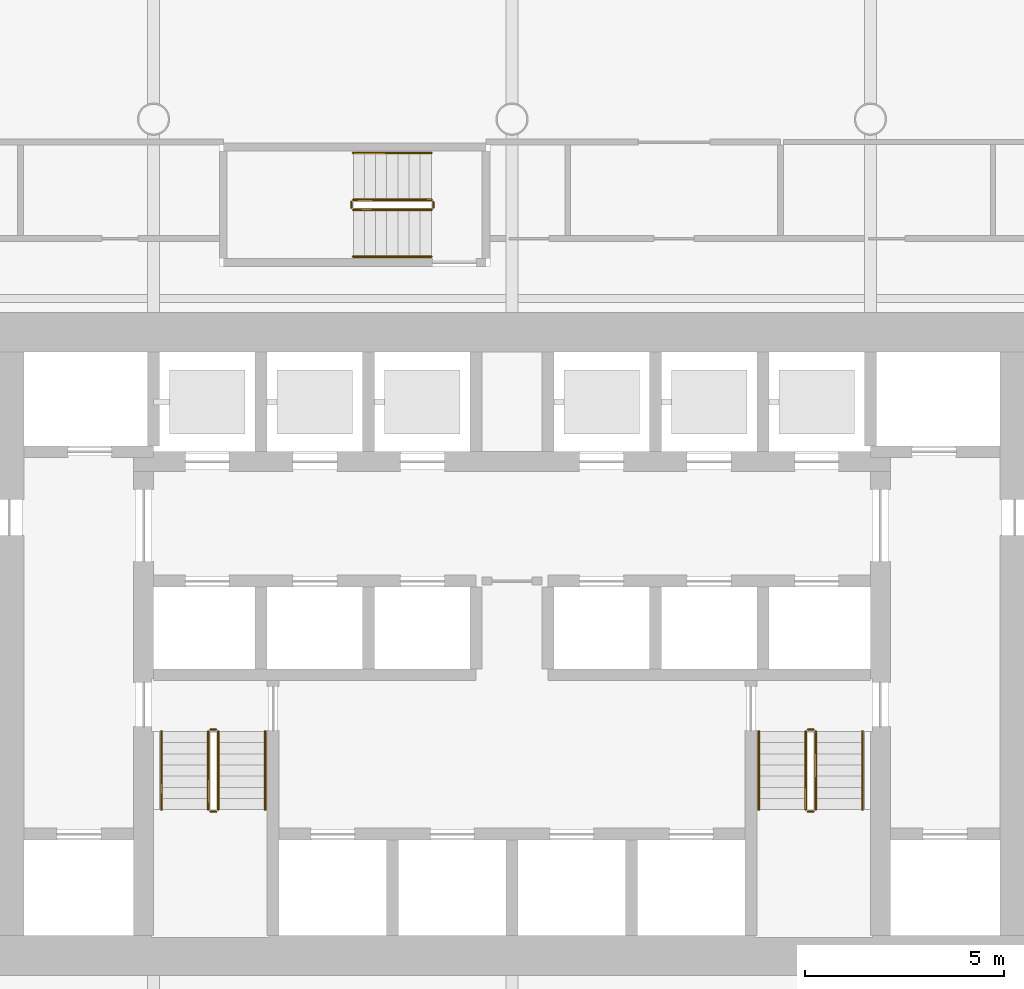
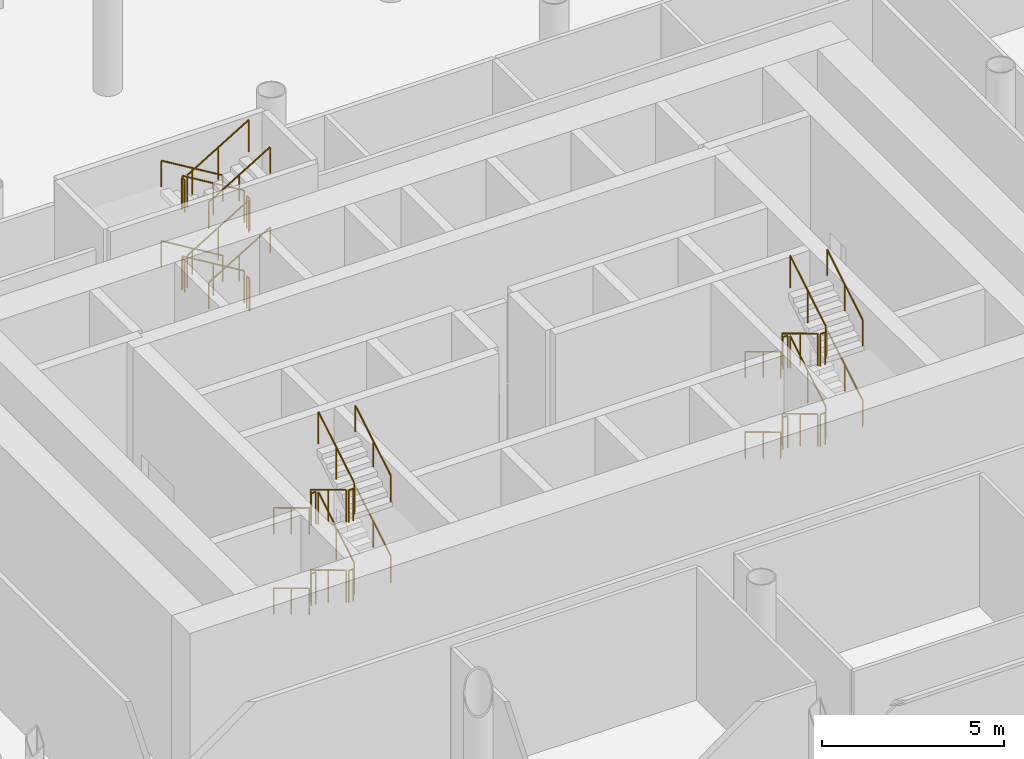
# One storey, part 12 of 13: 36 railings.
"""IFC4 building model written with IfcOpenShell, lengths in metres."""

from ifc_helpers import new_model, si_unit, direction, frame, origin, origin_2d, place, context, subcontext, project, spatial, circle, extrude, material, type_object, element, save


model = new_model("IFC4")

# Units and contexts
model_context = context("Model", 3, precision=1e-05, world=origin(), true_north=direction((0.0, 1.0)))
body_context = subcontext(model_context, "Body", "Model", "MODEL_VIEW")
ifc_project = project(units=[si_unit("LENGTHUNIT", "METRE"), si_unit("AREAUNIT", "SQUARE_METRE"), si_unit("VOLUMEUNIT", "CUBIC_METRE"), si_unit("PLANEANGLEUNIT", "RADIAN"), si_unit("MASSUNIT", "GRAM", prefix="KILO")], contexts=[model_context])

# Site, building, storey
site_placement = place(None, origin())
site = spatial("IfcSite", under=ifc_project, at=site_placement, CompositionType="ELEMENT")
building_placement = place(site_placement, origin())
building = spatial("IfcBuilding", under=site, at=building_placement, Name="Tskaro Facet Tower", CompositionType="ELEMENT")
storey_placement = place(building_placement, frame((0.0, 0.0, 108.89990234375)))
storey = spatial("IfcBuildingStorey", under=building, at=storey_placement, Name="L26", CompositionType="ELEMENT", Elevation=108.89990234375)

# Railings
ifc_material = material(Name="Stainless steel", Category="steel")
railing_type_1 = type_object("IfcRailingType", Name="RL-GUARD-1100", PredefinedType="GUARDRAIL", material=ifc_material)
railing_1_placement = place(storey_placement, frame((-7.625, -6.375, 0.1689453125)))
element("IfcRailing", 1, at=railing_1_placement, inside=storey, type_object=railing_type_1, Name="L26 ST-1 stair guard 1", PredefinedType="GUARDRAIL", context=body_context, shape_type="SweptSolid", body=[
    extrude(circle(Radius=0.02392578125, at=origin_2d()), frame((0.0, 0.0, 1.076171875), z_axis=(0.0, -0.856493463811, 0.516157869696), x_axis=(1.0, 0.0, 0.0)), (0.0, 0.0, 1.0), 2.288330078125),
    extrude(circle(Radius=0.02099609375, at=origin_2d()), origin(), (0.0, 0.0, 1.0), 1.052001953125),
    extrude(circle(Radius=0.02099609375, at=origin_2d()), frame((0.0, -0.97998046875, 0.590576171875)), (0.0, 0.0, 1.0), 1.052001953125),
    extrude(circle(Radius=0.02099609375, at=origin_2d()), frame((0.0, -1.9599609375, 1.18115234375)), (0.0, 0.0, 1.0), 1.052001953125),
])
railing_2_placement = place(storey_placement, frame((-7.574951171875, -8.385009765625, 1.35009765625)))
element("IfcRailing", 2, at=railing_2_placement, inside=storey, type_object=railing_type_1, Name="L26 ST-1 stair guard 2", PredefinedType="GUARDRAIL", context=body_context, shape_type="SweptSolid", body=[
    extrude(circle(Radius=0.02392578125, at=origin_2d()), frame((0.0, 0.0, 1.076171875), z_axis=(1.0, 0.0, 0.0), x_axis=(0.0, 1.0, 0.0)), (0.0, 0.0, 1.0), 0.14990234375),
    extrude(circle(Radius=0.02099609375, at=origin_2d()), origin(), (0.0, 0.0, 1.0), 1.052001953125),
    extrude(circle(Radius=0.02099609375, at=origin_2d()), frame((0.14990234375, 0.0, 0.0)), (0.0, 0.0, 1.0), 1.052001953125),
])
railing_3_placement = place(storey_placement, frame((-7.375, -8.3349609375, 1.518798828125)))
element("IfcRailing", 3, at=railing_3_placement, inside=storey, type_object=railing_type_1, Name="L26 ST-1 stair guard 3", PredefinedType="GUARDRAIL", context=body_context, shape_type="SweptSolid", body=[
    extrude(circle(Radius=0.02392578125, at=origin_2d()), frame((0.0, 0.0, 1.076171875), z_axis=(0.0, 0.856446297458, 0.516236127728), x_axis=(-1.0, 0.0, 0.0)), (0.0, 0.0, 1.0), 2.28857421875),
    extrude(circle(Radius=0.02099609375, at=origin_2d()), origin(), (0.0, 0.0, 1.0), 1.052001953125),
    extrude(circle(Radius=0.02099609375, at=origin_2d()), frame((0.0, 0.97998046875, 0.5908203125)), (0.0, 0.0, 1.0), 1.052001953125),
    extrude(circle(Radius=0.02099609375, at=origin_2d()), frame((0.0, 1.9599609375, 1.181396484375)), (0.0, 0.0, 1.0), 1.052001953125),
])
railing_4_placement = place(storey_placement, frame((-7.574951171875, -6.324951171875, 2.7001953125)))
element("IfcRailing", 4, at=railing_4_placement, inside=storey, type_object=railing_type_1, Name="L26 ST-1 stair guard 4", PredefinedType="GUARDRAIL", context=body_context, shape_type="SweptSolid", body=[
    extrude(circle(Radius=0.02392578125, at=origin_2d()), frame((0.0, 0.0, 1.076171875), z_axis=(1.0, 0.0, 0.0), x_axis=(0.0, 1.0, 0.0)), (0.0, 0.0, 1.0), 0.14990234375),
    extrude(circle(Radius=0.02099609375, at=origin_2d()), origin(), (0.0, 0.0, 1.0), 1.052001953125),
    extrude(circle(Radius=0.02099609375, at=origin_2d()), frame((0.14990234375, 0.0, 0.0)), (0.0, 0.0, 1.0), 1.052001953125),
])
railing_5_placement = place(storey_placement, frame((-7.625, -6.375, 2.868896484375)))
element("IfcRailing", 5, at=railing_5_placement, inside=storey, type_object=railing_type_1, Name="L26 ST-1 stair guard 5", PredefinedType="GUARDRAIL", context=body_context, shape_type="SweptSolid", body=[
    extrude(circle(Radius=0.02392578125, at=origin_2d()), frame((0.0, 0.0, 1.076171875), z_axis=(0.0, -0.856493463811, 0.516157869696), x_axis=(1.0, 0.0, 0.0)), (0.0, 0.0, 1.0), 2.288330078125),
    extrude(circle(Radius=0.02099609375, at=origin_2d()), origin(), (0.0, 0.0, 1.0), 1.052001953125),
    extrude(circle(Radius=0.02099609375, at=origin_2d()), frame((0.0, -0.97998046875, 0.590576171875)), (0.0, 0.0, 1.0), 1.052001953125),
    extrude(circle(Radius=0.02099609375, at=origin_2d()), frame((0.0, -1.9599609375, 1.18115234375)), (0.0, 0.0, 1.0), 1.052001953125),
])
railing_6_placement = place(storey_placement, frame((-7.574951171875, -8.385009765625, 4.050048828125)))
element("IfcRailing", 6, at=railing_6_placement, inside=storey, type_object=railing_type_1, Name="L26 ST-1 stair guard 6", PredefinedType="GUARDRAIL", context=body_context, shape_type="SweptSolid", body=[
    extrude(circle(Radius=0.02392578125, at=origin_2d()), frame((0.0, 0.0, 1.076171875), z_axis=(1.0, 0.0, 0.0), x_axis=(0.0, 1.0, 0.0)), (0.0, 0.0, 1.0), 0.14990234375),
    extrude(circle(Radius=0.02099609375, at=origin_2d()), origin(), (0.0, 0.0, 1.0), 1.052001953125),
    extrude(circle(Radius=0.02099609375, at=origin_2d()), frame((0.14990234375, 0.0, 0.0)), (0.0, 0.0, 1.0), 1.052001953125),
])
railing_7_placement = place(storey_placement, frame((-7.375, -8.3349609375, 4.21875)))
element("IfcRailing", 7, at=railing_7_placement, inside=storey, type_object=railing_type_1, Name="L26 ST-1 stair guard 7", PredefinedType="GUARDRAIL", context=body_context, shape_type="SweptSolid", body=[
    extrude(circle(Radius=0.02392578125, at=origin_2d()), frame((0.0, 0.0, 1.076171875), z_axis=(0.0, 0.856446297458, 0.516236127728), x_axis=(-1.0, 0.0, 0.0)), (0.0, 0.0, 1.0), 2.28857421875),
    extrude(circle(Radius=0.02099609375, at=origin_2d()), origin(), (0.0, 0.0, 1.0), 1.052001953125),
    extrude(circle(Radius=0.02099609375, at=origin_2d()), frame((0.0, 0.97998046875, 0.5908203125)), (0.0, 0.0, 1.0), 1.052001953125),
    extrude(circle(Radius=0.02099609375, at=origin_2d()), frame((0.0, 1.9599609375, 1.181396484375)), (0.0, 0.0, 1.0), 1.052001953125),
])
railing_8_placement = place(storey_placement, frame((-7.574951171875, -6.324951171875, 0.0)))
element("IfcRailing", 8, at=railing_8_placement, inside=storey, type_object=railing_type_1, Name="L26 ST-1 stair guard 8", PredefinedType="GUARDRAIL", context=body_context, shape_type="SweptSolid", body=[
    extrude(circle(Radius=0.02392578125, at=origin_2d()), frame((0.0, 0.0, 1.076171875), z_axis=(1.0, 0.0, 0.0), x_axis=(0.0, 1.0, 0.0)), (0.0, 0.0, 1.0), 0.14990234375),
    extrude(circle(Radius=0.02099609375, at=origin_2d()), origin(), (0.0, 0.0, 1.0), 1.052001953125),
    extrude(circle(Radius=0.02099609375, at=origin_2d()), frame((0.14990234375, 0.0, 0.0)), (0.0, 0.0, 1.0), 1.052001953125),
])
railing_9_placement = place(storey_placement, frame((7.375, -6.375, 0.1689453125)))
element("IfcRailing", 9, at=railing_9_placement, inside=storey, type_object=railing_type_1, Name="L26 ST-2 stair guard 1", PredefinedType="GUARDRAIL", context=body_context, shape_type="SweptSolid", body=[
    extrude(circle(Radius=0.02392578125, at=origin_2d()), frame((0.0, 0.0, 1.076171875), z_axis=(0.0, -0.856493463811, 0.516157869696), x_axis=(1.0, 0.0, 0.0)), (0.0, 0.0, 1.0), 2.288330078125),
    extrude(circle(Radius=0.02099609375, at=origin_2d()), origin(), (0.0, 0.0, 1.0), 1.052001953125),
    extrude(circle(Radius=0.02099609375, at=origin_2d()), frame((0.0, -0.97998046875, 0.590576171875)), (0.0, 0.0, 1.0), 1.052001953125),
    extrude(circle(Radius=0.02099609375, at=origin_2d()), frame((0.0, -1.9599609375, 1.18115234375)), (0.0, 0.0, 1.0), 1.052001953125),
])
railing_10_placement = place(storey_placement, frame((7.425048828125, -8.385009765625, 1.35009765625)))
element("IfcRailing", 10, at=railing_10_placement, inside=storey, type_object=railing_type_1, Name="L26 ST-2 stair guard 2", PredefinedType="GUARDRAIL", context=body_context, shape_type="SweptSolid", body=[
    extrude(circle(Radius=0.02392578125, at=origin_2d()), frame((0.0, 0.0, 1.076171875), z_axis=(1.0, 0.0, 0.0), x_axis=(0.0, 1.0, 0.0)), (0.0, 0.0, 1.0), 0.14990234375),
    extrude(circle(Radius=0.02099609375, at=origin_2d()), origin(), (0.0, 0.0, 1.0), 1.052001953125),
    extrude(circle(Radius=0.02099609375, at=origin_2d()), frame((0.14990234375, 0.0, 0.0)), (0.0, 0.0, 1.0), 1.052001953125),
])
railing_11_placement = place(storey_placement, frame((7.625, -8.3349609375, 1.518798828125)))
element("IfcRailing", 11, at=railing_11_placement, inside=storey, type_object=railing_type_1, Name="L26 ST-2 stair guard 3", PredefinedType="GUARDRAIL", context=body_context, shape_type="SweptSolid", body=[
    extrude(circle(Radius=0.02392578125, at=origin_2d()), frame((0.0, 0.0, 1.076171875), z_axis=(0.0, 0.856446297458, 0.516236127728), x_axis=(-1.0, 0.0, 0.0)), (0.0, 0.0, 1.0), 2.28857421875),
    extrude(circle(Radius=0.02099609375, at=origin_2d()), origin(), (0.0, 0.0, 1.0), 1.052001953125),
    extrude(circle(Radius=0.02099609375, at=origin_2d()), frame((0.0, 0.97998046875, 0.5908203125)), (0.0, 0.0, 1.0), 1.052001953125),
    extrude(circle(Radius=0.02099609375, at=origin_2d()), frame((0.0, 1.9599609375, 1.181396484375)), (0.0, 0.0, 1.0), 1.052001953125),
])
railing_12_placement = place(storey_placement, frame((7.425048828125, -6.324951171875, 2.7001953125)))
element("IfcRailing", 12, at=railing_12_placement, inside=storey, type_object=railing_type_1, Name="L26 ST-2 stair guard 4", PredefinedType="GUARDRAIL", context=body_context, shape_type="SweptSolid", body=[
    extrude(circle(Radius=0.02392578125, at=origin_2d()), frame((0.0, 0.0, 1.076171875), z_axis=(1.0, 0.0, 0.0), x_axis=(0.0, 1.0, 0.0)), (0.0, 0.0, 1.0), 0.14990234375),
    extrude(circle(Radius=0.02099609375, at=origin_2d()), origin(), (0.0, 0.0, 1.0), 1.052001953125),
    extrude(circle(Radius=0.02099609375, at=origin_2d()), frame((0.14990234375, 0.0, 0.0)), (0.0, 0.0, 1.0), 1.052001953125),
])
railing_13_placement = place(storey_placement, frame((7.375, -6.375, 2.868896484375)))
element("IfcRailing", 13, at=railing_13_placement, inside=storey, type_object=railing_type_1, Name="L26 ST-2 stair guard 5", PredefinedType="GUARDRAIL", context=body_context, shape_type="SweptSolid", body=[
    extrude(circle(Radius=0.02392578125, at=origin_2d()), frame((0.0, 0.0, 1.076171875), z_axis=(0.0, -0.856493463811, 0.516157869696), x_axis=(1.0, 0.0, 0.0)), (0.0, 0.0, 1.0), 2.288330078125),
    extrude(circle(Radius=0.02099609375, at=origin_2d()), origin(), (0.0, 0.0, 1.0), 1.052001953125),
    extrude(circle(Radius=0.02099609375, at=origin_2d()), frame((0.0, -0.97998046875, 0.590576171875)), (0.0, 0.0, 1.0), 1.052001953125),
    extrude(circle(Radius=0.02099609375, at=origin_2d()), frame((0.0, -1.9599609375, 1.18115234375)), (0.0, 0.0, 1.0), 1.052001953125),
])
railing_14_placement = place(storey_placement, frame((7.425048828125, -8.385009765625, 4.050048828125)))
element("IfcRailing", 14, at=railing_14_placement, inside=storey, type_object=railing_type_1, Name="L26 ST-2 stair guard 6", PredefinedType="GUARDRAIL", context=body_context, shape_type="SweptSolid", body=[
    extrude(circle(Radius=0.02392578125, at=origin_2d()), frame((0.0, 0.0, 1.076171875), z_axis=(1.0, 0.0, 0.0), x_axis=(0.0, 1.0, 0.0)), (0.0, 0.0, 1.0), 0.14990234375),
    extrude(circle(Radius=0.02099609375, at=origin_2d()), origin(), (0.0, 0.0, 1.0), 1.052001953125),
    extrude(circle(Radius=0.02099609375, at=origin_2d()), frame((0.14990234375, 0.0, 0.0)), (0.0, 0.0, 1.0), 1.052001953125),
])
railing_15_placement = place(storey_placement, frame((7.625, -8.3349609375, 4.21875)))
element("IfcRailing", 15, at=railing_15_placement, inside=storey, type_object=railing_type_1, Name="L26 ST-2 stair guard 7", PredefinedType="GUARDRAIL", context=body_context, shape_type="SweptSolid", body=[
    extrude(circle(Radius=0.02392578125, at=origin_2d()), frame((0.0, 0.0, 1.076171875), z_axis=(0.0, 0.856446297458, 0.516236127728), x_axis=(-1.0, 0.0, 0.0)), (0.0, 0.0, 1.0), 2.28857421875),
    extrude(circle(Radius=0.02099609375, at=origin_2d()), origin(), (0.0, 0.0, 1.0), 1.052001953125),
    extrude(circle(Radius=0.02099609375, at=origin_2d()), frame((0.0, 0.97998046875, 0.5908203125)), (0.0, 0.0, 1.0), 1.052001953125),
    extrude(circle(Radius=0.02099609375, at=origin_2d()), frame((0.0, 1.9599609375, 1.181396484375)), (0.0, 0.0, 1.0), 1.052001953125),
])
railing_16_placement = place(storey_placement, frame((7.425048828125, -6.324951171875, 0.0)))
element("IfcRailing", 16, at=railing_16_placement, inside=storey, type_object=railing_type_1, Name="L26 ST-2 stair guard 8", PredefinedType="GUARDRAIL", context=body_context, shape_type="SweptSolid", body=[
    extrude(circle(Radius=0.02392578125, at=origin_2d()), frame((0.0, 0.0, 1.076171875), z_axis=(1.0, 0.0, 0.0), x_axis=(0.0, 1.0, 0.0)), (0.0, 0.0, 1.0), 0.14990234375),
    extrude(circle(Radius=0.02099609375, at=origin_2d()), origin(), (0.0, 0.0, 1.0), 1.052001953125),
    extrude(circle(Radius=0.02099609375, at=origin_2d()), frame((0.14990234375, 0.0, 0.0)), (0.0, 0.0, 1.0), 1.052001953125),
])
railing_17_placement = place(storey_placement, frame((-2.02490234375, 6.97509765625, 0.1689453125)))
element("IfcRailing", 17, at=railing_17_placement, inside=storey, type_object=railing_type_1, Name="L26 ST-3 stair guard 1", PredefinedType="GUARDRAIL", context=body_context, shape_type="SweptSolid", body=[
    extrude(circle(Radius=0.02392578125, at=origin_2d()), frame((0.0, 0.0, 1.076171875), z_axis=(-0.856521883693, 0.0, 0.516110707847), x_axis=(0.0, -1.0, 0.0)), (0.0, 0.0, 1.0), 2.28857421875),
    extrude(circle(Radius=0.02099609375, at=origin_2d()), origin(), (0.0, 0.0, 1.0), 1.052001953125),
    extrude(circle(Radius=0.02099609375, at=origin_2d()), frame((-0.97998046875, 0.0, 0.590576171875)), (0.0, 0.0, 1.0), 1.052001953125),
    extrude(circle(Radius=0.02099609375, at=origin_2d()), frame((-1.960205078125, 0.0, 1.18115234375)), (0.0, 0.0, 1.0), 1.052001953125),
])
railing_18_placement = place(storey_placement, frame((-4.034912109375, 6.925048828125, 1.35009765625)))
element("IfcRailing", 18, at=railing_18_placement, inside=storey, type_object=railing_type_1, Name="L26 ST-3 stair guard 2", PredefinedType="GUARDRAIL", context=body_context, shape_type="SweptSolid", body=[
    extrude(circle(Radius=0.02392578125, at=origin_2d()), frame((0.0, 0.0, 1.076171875), z_axis=(0.0, -1.0, 0.0), x_axis=(1.0, 0.0, 0.0)), (0.0, 0.0, 1.0), 0.150146484375),
    extrude(circle(Radius=0.02099609375, at=origin_2d()), origin(), (0.0, 0.0, 1.0), 1.052001953125),
    extrude(circle(Radius=0.02099609375, at=origin_2d()), frame((0.0, -0.150146484375, 0.0)), (0.0, 0.0, 1.0), 1.052001953125),
])
railing_19_placement = place(storey_placement, frame((-3.985107421875, 6.72509765625, 1.518798828125)))
element("IfcRailing", 19, at=railing_19_placement, inside=storey, type_object=railing_type_1, Name="L26 ST-3 stair guard 3", PredefinedType="GUARDRAIL", context=body_context, shape_type="SweptSolid", body=[
    extrude(circle(Radius=0.02392578125, at=origin_2d()), frame((0.0, 0.0, 1.076171875), z_axis=(0.856474724393, 0.0, 0.516188963923), x_axis=(0.0, 1.0, 0.0)), (0.0, 0.0, 1.0), 2.28857421875),
    extrude(circle(Radius=0.02099609375, at=origin_2d()), origin(), (0.0, 0.0, 1.0), 1.052001953125),
    extrude(circle(Radius=0.02099609375, at=origin_2d()), frame((0.97998046875, 0.0, 0.5908203125)), (0.0, 0.0, 1.0), 1.052001953125),
    extrude(circle(Radius=0.02099609375, at=origin_2d()), frame((1.960205078125, 0.0, 1.181396484375)), (0.0, 0.0, 1.0), 1.052001953125),
])
railing_20_placement = place(storey_placement, frame((-1.97509765625, 6.925048828125, 2.7001953125)))
element("IfcRailing", 20, at=railing_20_placement, inside=storey, type_object=railing_type_1, Name="L26 ST-3 stair guard 4", PredefinedType="GUARDRAIL", context=body_context, shape_type="SweptSolid", body=[
    extrude(circle(Radius=0.02392578125, at=origin_2d()), frame((0.0, 0.0, 1.076171875), z_axis=(0.0, -1.0, 0.0), x_axis=(1.0, 0.0, 0.0)), (0.0, 0.0, 1.0), 0.150146484375),
    extrude(circle(Radius=0.02099609375, at=origin_2d()), origin(), (0.0, 0.0, 1.0), 1.052001953125),
    extrude(circle(Radius=0.02099609375, at=origin_2d()), frame((0.0, -0.150146484375, 0.0)), (0.0, 0.0, 1.0), 1.052001953125),
])
railing_21_placement = place(storey_placement, frame((-2.02490234375, 6.97509765625, 2.868896484375)))
element("IfcRailing", 21, at=railing_21_placement, inside=storey, type_object=railing_type_1, Name="L26 ST-3 stair guard 5", PredefinedType="GUARDRAIL", context=body_context, shape_type="SweptSolid", body=[
    extrude(circle(Radius=0.02392578125, at=origin_2d()), frame((0.0, 0.0, 1.076171875), z_axis=(-0.856521883693, 0.0, 0.516110707847), x_axis=(0.0, -1.0, 0.0)), (0.0, 0.0, 1.0), 2.28857421875),
    extrude(circle(Radius=0.02099609375, at=origin_2d()), origin(), (0.0, 0.0, 1.0), 1.052001953125),
    extrude(circle(Radius=0.02099609375, at=origin_2d()), frame((-0.97998046875, 0.0, 0.590576171875)), (0.0, 0.0, 1.0), 1.052001953125),
    extrude(circle(Radius=0.02099609375, at=origin_2d()), frame((-1.960205078125, 0.0, 1.18115234375)), (0.0, 0.0, 1.0), 1.052001953125),
])
railing_22_placement = place(storey_placement, frame((-4.034912109375, 6.925048828125, 4.050048828125)))
element("IfcRailing", 22, at=railing_22_placement, inside=storey, type_object=railing_type_1, Name="L26 ST-3 stair guard 6", PredefinedType="GUARDRAIL", context=body_context, shape_type="SweptSolid", body=[
    extrude(circle(Radius=0.02392578125, at=origin_2d()), frame((0.0, 0.0, 1.076171875), z_axis=(0.0, -1.0, 0.0), x_axis=(1.0, 0.0, 0.0)), (0.0, 0.0, 1.0), 0.150146484375),
    extrude(circle(Radius=0.02099609375, at=origin_2d()), origin(), (0.0, 0.0, 1.0), 1.052001953125),
    extrude(circle(Radius=0.02099609375, at=origin_2d()), frame((0.0, -0.150146484375, 0.0)), (0.0, 0.0, 1.0), 1.052001953125),
])
railing_23_placement = place(storey_placement, frame((-3.985107421875, 6.72509765625, 4.21875)))
element("IfcRailing", 23, at=railing_23_placement, inside=storey, type_object=railing_type_1, Name="L26 ST-3 stair guard 7", PredefinedType="GUARDRAIL", context=body_context, shape_type="SweptSolid", body=[
    extrude(circle(Radius=0.02392578125, at=origin_2d()), frame((0.0, 0.0, 1.076171875), z_axis=(0.856474724393, 0.0, 0.516188963923), x_axis=(0.0, 1.0, 0.0)), (0.0, 0.0, 1.0), 2.28857421875),
    extrude(circle(Radius=0.02099609375, at=origin_2d()), origin(), (0.0, 0.0, 1.0), 1.052001953125),
    extrude(circle(Radius=0.02099609375, at=origin_2d()), frame((0.97998046875, 0.0, 0.5908203125)), (0.0, 0.0, 1.0), 1.052001953125),
    extrude(circle(Radius=0.02099609375, at=origin_2d()), frame((1.960205078125, 0.0, 1.181396484375)), (0.0, 0.0, 1.0), 1.052001953125),
])
railing_24_placement = place(storey_placement, frame((-1.97509765625, 6.925048828125, 0.0)))
element("IfcRailing", 24, at=railing_24_placement, inside=storey, type_object=railing_type_1, Name="L26 ST-3 stair guard 8", PredefinedType="GUARDRAIL", context=body_context, shape_type="SweptSolid", body=[
    extrude(circle(Radius=0.02392578125, at=origin_2d()), frame((0.0, 0.0, 1.076171875), z_axis=(0.0, -1.0, 0.0), x_axis=(1.0, 0.0, 0.0)), (0.0, 0.0, 1.0), 0.150146484375),
    extrude(circle(Radius=0.02099609375, at=origin_2d()), origin(), (0.0, 0.0, 1.0), 1.052001953125),
    extrude(circle(Radius=0.02099609375, at=origin_2d()), frame((0.0, -0.150146484375, 0.0)), (0.0, 0.0, 1.0), 1.052001953125),
])
railing_type_2 = type_object("IfcRailingType", Name="RL-HANDRAIL-900", PredefinedType="HANDRAIL", material=ifc_material)
railing_25_placement = place(storey_placement, frame((-8.800048828125, -6.375, 0.1689453125)))
element("IfcRailing", 25, at=railing_25_placement, inside=storey, type_object=railing_type_2, Name="L26 ST-1 stair handrail 1", PredefinedType="HANDRAIL", context=body_context, shape_type="SweptSolid", body=[
    extrude(circle(Radius=0.02392578125, at=origin_2d()), frame((0.0, 0.0, 0.8759765625), z_axis=(0.0, -0.856493463811, 0.516157869696), x_axis=(1.0, 0.0, 0.0)), (0.0, 0.0, 1.0), 2.288330078125),
    extrude(circle(Radius=0.02099609375, at=origin_2d()), origin(), (0.0, 0.0, 1.0), 0.851806640625),
    extrude(circle(Radius=0.02099609375, at=origin_2d()), frame((0.0, -0.97998046875, 0.590576171875)), (0.0, 0.0, 1.0), 0.851806640625),
    extrude(circle(Radius=0.02099609375, at=origin_2d()), frame((0.0, -1.9599609375, 1.18115234375)), (0.0, 0.0, 1.0), 0.851806640625),
])
railing_26_placement = place(storey_placement, frame((-6.199951171875, -8.3349609375, 1.518798828125)))
element("IfcRailing", 26, at=railing_26_placement, inside=storey, type_object=railing_type_2, Name="L26 ST-1 stair handrail 2", PredefinedType="HANDRAIL", context=body_context, shape_type="SweptSolid", body=[
    extrude(circle(Radius=0.02392578125, at=origin_2d()), frame((0.0, 0.0, 0.8759765625), z_axis=(0.0, 0.856446297458, 0.516236127728), x_axis=(-1.0, 0.0, 0.0)), (0.0, 0.0, 1.0), 2.28857421875),
    extrude(circle(Radius=0.02099609375, at=origin_2d()), origin(), (0.0, 0.0, 1.0), 0.851806640625),
    extrude(circle(Radius=0.02099609375, at=origin_2d()), frame((0.0, 0.97998046875, 0.5908203125)), (0.0, 0.0, 1.0), 0.851806640625),
    extrude(circle(Radius=0.02099609375, at=origin_2d()), frame((0.0, 1.9599609375, 1.181396484375)), (0.0, 0.0, 1.0), 0.851806640625),
])
railing_27_placement = place(storey_placement, frame((-8.800048828125, -6.375, 2.868896484375)))
element("IfcRailing", 27, at=railing_27_placement, inside=storey, type_object=railing_type_2, Name="L26 ST-1 stair handrail 3", PredefinedType="HANDRAIL", context=body_context, shape_type="SweptSolid", body=[
    extrude(circle(Radius=0.02392578125, at=origin_2d()), frame((0.0, 0.0, 0.8759765625), z_axis=(0.0, -0.856493463811, 0.516157869696), x_axis=(1.0, 0.0, 0.0)), (0.0, 0.0, 1.0), 2.288330078125),
    extrude(circle(Radius=0.02099609375, at=origin_2d()), origin(), (0.0, 0.0, 1.0), 0.851806640625),
    extrude(circle(Radius=0.02099609375, at=origin_2d()), frame((0.0, -0.97998046875, 0.590576171875)), (0.0, 0.0, 1.0), 0.851806640625),
    extrude(circle(Radius=0.02099609375, at=origin_2d()), frame((0.0, -1.9599609375, 1.18115234375)), (0.0, 0.0, 1.0), 0.851806640625),
])
railing_28_placement = place(storey_placement, frame((-6.199951171875, -8.3349609375, 4.21875)))
element("IfcRailing", 28, at=railing_28_placement, inside=storey, type_object=railing_type_2, Name="L26 ST-1 stair handrail 4", PredefinedType="HANDRAIL", context=body_context, shape_type="SweptSolid", body=[
    extrude(circle(Radius=0.02392578125, at=origin_2d()), frame((0.0, 0.0, 0.8759765625), z_axis=(0.0, 0.856446297458, 0.516236127728), x_axis=(-1.0, 0.0, 0.0)), (0.0, 0.0, 1.0), 2.28857421875),
    extrude(circle(Radius=0.02099609375, at=origin_2d()), origin(), (0.0, 0.0, 1.0), 0.851806640625),
    extrude(circle(Radius=0.02099609375, at=origin_2d()), frame((0.0, 0.97998046875, 0.5908203125)), (0.0, 0.0, 1.0), 0.851806640625),
    extrude(circle(Radius=0.02099609375, at=origin_2d()), frame((0.0, 1.9599609375, 1.181396484375)), (0.0, 0.0, 1.0), 0.851806640625),
])
railing_29_placement = place(storey_placement, frame((6.199951171875, -6.375, 0.1689453125)))
element("IfcRailing", 29, at=railing_29_placement, inside=storey, type_object=railing_type_2, Name="L26 ST-2 stair handrail 1", PredefinedType="HANDRAIL", context=body_context, shape_type="SweptSolid", body=[
    extrude(circle(Radius=0.02392578125, at=origin_2d()), frame((0.0, 0.0, 0.8759765625), z_axis=(0.0, -0.856493463811, 0.516157869696), x_axis=(1.0, 0.0, 0.0)), (0.0, 0.0, 1.0), 2.288330078125),
    extrude(circle(Radius=0.02099609375, at=origin_2d()), origin(), (0.0, 0.0, 1.0), 0.851806640625),
    extrude(circle(Radius=0.02099609375, at=origin_2d()), frame((0.0, -0.97998046875, 0.590576171875)), (0.0, 0.0, 1.0), 0.851806640625),
    extrude(circle(Radius=0.02099609375, at=origin_2d()), frame((0.0, -1.9599609375, 1.18115234375)), (0.0, 0.0, 1.0), 0.851806640625),
])
railing_30_placement = place(storey_placement, frame((8.800048828125, -8.3349609375, 1.518798828125)))
element("IfcRailing", 30, at=railing_30_placement, inside=storey, type_object=railing_type_2, Name="L26 ST-2 stair handrail 2", PredefinedType="HANDRAIL", context=body_context, shape_type="SweptSolid", body=[
    extrude(circle(Radius=0.02392578125, at=origin_2d()), frame((0.0, 0.0, 0.8759765625), z_axis=(0.0, 0.856446297458, 0.516236127728), x_axis=(-1.0, 0.0, 0.0)), (0.0, 0.0, 1.0), 2.28857421875),
    extrude(circle(Radius=0.02099609375, at=origin_2d()), origin(), (0.0, 0.0, 1.0), 0.851806640625),
    extrude(circle(Radius=0.02099609375, at=origin_2d()), frame((0.0, 0.97998046875, 0.5908203125)), (0.0, 0.0, 1.0), 0.851806640625),
    extrude(circle(Radius=0.02099609375, at=origin_2d()), frame((0.0, 1.9599609375, 1.181396484375)), (0.0, 0.0, 1.0), 0.851806640625),
])
railing_31_placement = place(storey_placement, frame((6.199951171875, -6.375, 2.868896484375)))
element("IfcRailing", 31, at=railing_31_placement, inside=storey, type_object=railing_type_2, Name="L26 ST-2 stair handrail 3", PredefinedType="HANDRAIL", context=body_context, shape_type="SweptSolid", body=[
    extrude(circle(Radius=0.02392578125, at=origin_2d()), frame((0.0, 0.0, 0.8759765625), z_axis=(0.0, -0.856493463811, 0.516157869696), x_axis=(1.0, 0.0, 0.0)), (0.0, 0.0, 1.0), 2.288330078125),
    extrude(circle(Radius=0.02099609375, at=origin_2d()), origin(), (0.0, 0.0, 1.0), 0.851806640625),
    extrude(circle(Radius=0.02099609375, at=origin_2d()), frame((0.0, -0.97998046875, 0.590576171875)), (0.0, 0.0, 1.0), 0.851806640625),
    extrude(circle(Radius=0.02099609375, at=origin_2d()), frame((0.0, -1.9599609375, 1.18115234375)), (0.0, 0.0, 1.0), 0.851806640625),
])
railing_32_placement = place(storey_placement, frame((8.800048828125, -8.3349609375, 4.21875)))
element("IfcRailing", 32, at=railing_32_placement, inside=storey, type_object=railing_type_2, Name="L26 ST-2 stair handrail 4", PredefinedType="HANDRAIL", context=body_context, shape_type="SweptSolid", body=[
    extrude(circle(Radius=0.02392578125, at=origin_2d()), frame((0.0, 0.0, 0.8759765625), z_axis=(0.0, 0.856446297458, 0.516236127728), x_axis=(-1.0, 0.0, 0.0)), (0.0, 0.0, 1.0), 2.28857421875),
    extrude(circle(Radius=0.02099609375, at=origin_2d()), origin(), (0.0, 0.0, 1.0), 0.851806640625),
    extrude(circle(Radius=0.02099609375, at=origin_2d()), frame((0.0, 0.97998046875, 0.5908203125)), (0.0, 0.0, 1.0), 0.851806640625),
    extrude(circle(Radius=0.02099609375, at=origin_2d()), frame((0.0, 1.9599609375, 1.181396484375)), (0.0, 0.0, 1.0), 0.851806640625),
])
railing_33_placement = place(storey_placement, frame((-2.02490234375, 8.14990234375, 0.1689453125)))
element("IfcRailing", 33, at=railing_33_placement, inside=storey, type_object=railing_type_2, Name="L26 ST-3 stair handrail 1", PredefinedType="HANDRAIL", context=body_context, shape_type="SweptSolid", body=[
    extrude(circle(Radius=0.02392578125, at=origin_2d()), frame((0.0, 0.0, 0.8759765625), z_axis=(-0.856521883693, 0.0, 0.516110707847), x_axis=(0.0, -1.0, 0.0)), (0.0, 0.0, 1.0), 2.28857421875),
    extrude(circle(Radius=0.02099609375, at=origin_2d()), origin(), (0.0, 0.0, 1.0), 0.851806640625),
    extrude(circle(Radius=0.02099609375, at=origin_2d()), frame((-0.97998046875, 0.0, 0.590576171875)), (0.0, 0.0, 1.0), 0.851806640625),
    extrude(circle(Radius=0.02099609375, at=origin_2d()), frame((-1.960205078125, 0.0, 1.18115234375)), (0.0, 0.0, 1.0), 0.851806640625),
])
railing_34_placement = place(storey_placement, frame((-3.985107421875, 5.550048828125, 1.518798828125)))
element("IfcRailing", 34, at=railing_34_placement, inside=storey, type_object=railing_type_2, Name="L26 ST-3 stair handrail 2", PredefinedType="HANDRAIL", context=body_context, shape_type="SweptSolid", body=[
    extrude(circle(Radius=0.02392578125, at=origin_2d()), frame((0.0, 0.0, 0.8759765625), z_axis=(0.856474724393, 0.0, 0.516188963923), x_axis=(0.0, 1.0, 0.0)), (0.0, 0.0, 1.0), 2.28857421875),
    extrude(circle(Radius=0.02099609375, at=origin_2d()), origin(), (0.0, 0.0, 1.0), 0.851806640625),
    extrude(circle(Radius=0.02099609375, at=origin_2d()), frame((0.97998046875, 0.0, 0.5908203125)), (0.0, 0.0, 1.0), 0.851806640625),
    extrude(circle(Radius=0.02099609375, at=origin_2d()), frame((1.960205078125, 0.0, 1.181396484375)), (0.0, 0.0, 1.0), 0.851806640625),
])
railing_35_placement = place(storey_placement, frame((-2.02490234375, 8.14990234375, 2.868896484375)))
element("IfcRailing", 35, at=railing_35_placement, inside=storey, type_object=railing_type_2, Name="L26 ST-3 stair handrail 3", PredefinedType="HANDRAIL", context=body_context, shape_type="SweptSolid", body=[
    extrude(circle(Radius=0.02392578125, at=origin_2d()), frame((0.0, 0.0, 0.8759765625), z_axis=(-0.856521883693, 0.0, 0.516110707847), x_axis=(0.0, -1.0, 0.0)), (0.0, 0.0, 1.0), 2.28857421875),
    extrude(circle(Radius=0.02099609375, at=origin_2d()), origin(), (0.0, 0.0, 1.0), 0.851806640625),
    extrude(circle(Radius=0.02099609375, at=origin_2d()), frame((-0.97998046875, 0.0, 0.590576171875)), (0.0, 0.0, 1.0), 0.851806640625),
    extrude(circle(Radius=0.02099609375, at=origin_2d()), frame((-1.960205078125, 0.0, 1.18115234375)), (0.0, 0.0, 1.0), 0.851806640625),
])
railing_36_placement = place(storey_placement, frame((-3.985107421875, 5.550048828125, 4.21875)))
element("IfcRailing", 36, at=railing_36_placement, inside=storey, type_object=railing_type_2, Name="L26 ST-3 stair handrail 4", PredefinedType="HANDRAIL", context=body_context, shape_type="SweptSolid", body=[
    extrude(circle(Radius=0.02392578125, at=origin_2d()), frame((0.0, 0.0, 0.8759765625), z_axis=(0.856474724393, 0.0, 0.516188963923), x_axis=(0.0, 1.0, 0.0)), (0.0, 0.0, 1.0), 2.28857421875),
    extrude(circle(Radius=0.02099609375, at=origin_2d()), origin(), (0.0, 0.0, 1.0), 0.851806640625),
    extrude(circle(Radius=0.02099609375, at=origin_2d()), frame((0.97998046875, 0.0, 0.5908203125)), (0.0, 0.0, 1.0), 0.851806640625),
    extrude(circle(Radius=0.02099609375, at=origin_2d()), frame((1.960205078125, 0.0, 1.181396484375)), (0.0, 0.0, 1.0), 0.851806640625),
])

save(model, "model.ifc")
